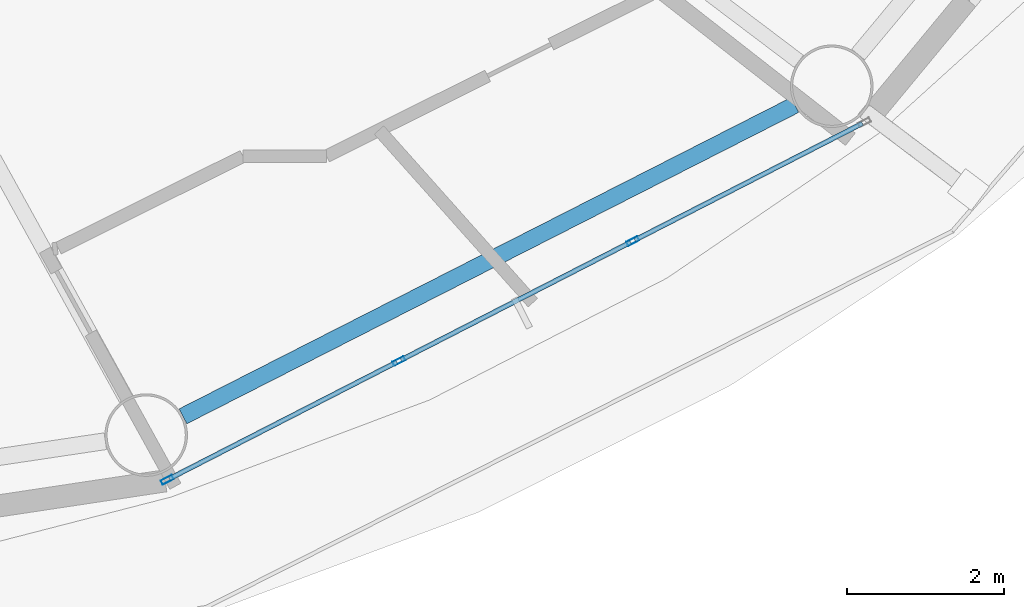
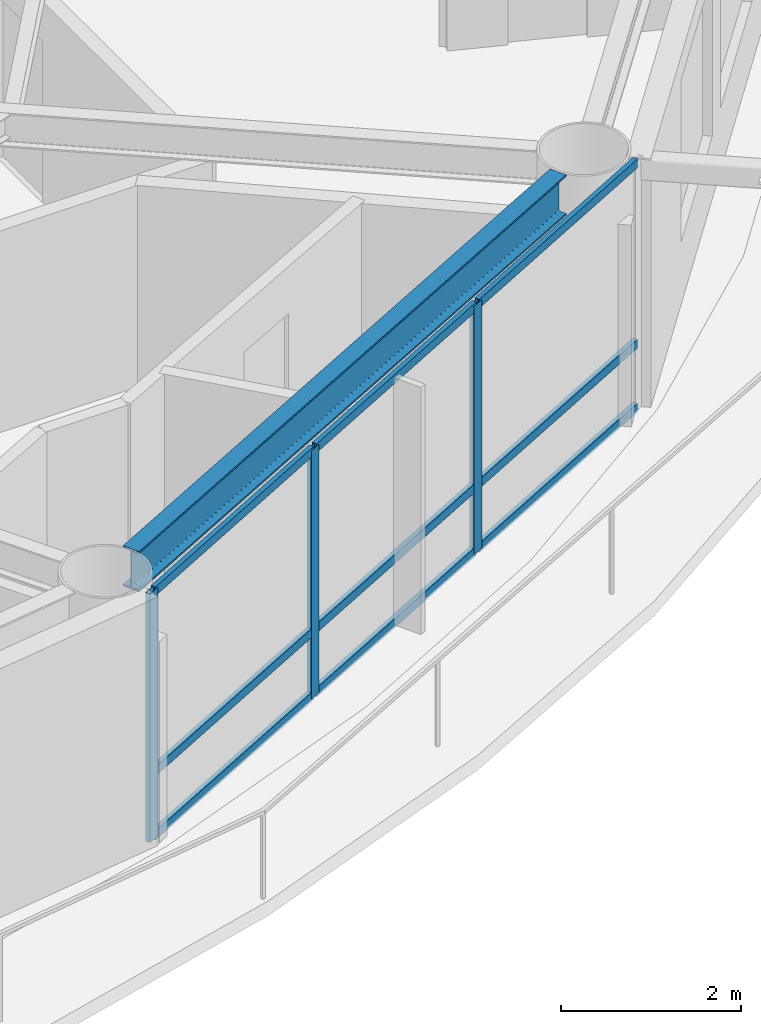
# One storey, part 5 of 29: 12 members, 1 beam, 1 element without a shape of its own.
"""IFC4 building model written with IfcOpenShell, lengths in metres."""

import ifcopenshell
import ifcopenshell.guid

model = None  # the IFC model being written
_history = None  # IfcOwnerHistory: only IFC2X3 demands one
_inside = {}  # id of a spatial element -> (the spatial element, [elements in it])
_under = {}  # id of a project, library or spatial element -> (it, [spatial elements below it])
_declared = {}  # id of a project -> (the project, [libraries it declares])
_typed = {}  # id of a type object -> (the type object, [elements of that type])
_made_of = {}  # id of a material, layer set ... -> (it, [elements and type objects made of it])


def new_model(schema):
    """Start an empty IFC model of exactly this schema.

    Asked for "IFC4X3", IfcOpenShell would pick the latest addendum, in which some entities
    have other attributes; the version numbers below select the first issue.
    IFC2X3 requires an IfcOwnerHistory on every rooted entity: one is made here for all.
    """
    global model, _history
    if schema == "IFC4X3":
        model = ifcopenshell.file(schema_version=(4, 3, 0, 0))
    else:
        model = ifcopenshell.file(schema=schema)
    _inside.clear()
    _under.clear()
    _declared.clear()
    _typed.clear()
    _made_of.clear()
    _history = None
    if model.schema == "IFC2X3":
        org = make("IfcOrganization", Name="unknown")
        user = make(
            "IfcPersonAndOrganization",
            ThePerson=make("IfcPerson", FamilyName="unknown"),
            TheOrganization=org,
        )
        app = make(
            "IfcApplication",
            ApplicationDeveloper=org,
            Version="unknown",
            ApplicationFullName="unknown",
            ApplicationIdentifier="unknown",
        )
        _history = make(
            "IfcOwnerHistory",
            OwningUser=user,
            OwningApplication=app,
            ChangeAction="ADDED",
            CreationDate=0,
        )
    return model


def make(cls, **values):
    """One entity of the class cls with the attributes given. An attribute that is None is left unset."""
    return model.create_entity(
        cls, **{name: value for name, value in values.items() if value is not None}
    )


def rooted(cls, **values):
    """An entity with a GlobalId (a new one), such as an element, a storey or a relation."""
    return make(cls, GlobalId=ifcopenshell.guid.new(), OwnerHistory=_history, **values)


def si_unit(unit_type, name, prefix=None):
    """IfcSIUnit, for example si_unit("LENGTHUNIT", "METRE", prefix="MILLI")."""
    return make("IfcSIUnit", UnitType=unit_type, Prefix=prefix, Name=name)


def assignment(units):
    """IfcUnitAssignment: the units of a project."""
    return None if units is None else make("IfcUnitAssignment", Units=units)


def point(xyz):
    """IfcCartesianPoint."""
    return None if xyz is None else make("IfcCartesianPoint", Coordinates=xyz)


def direction(xyz):
    """IfcDirection."""
    return None if xyz is None else make("IfcDirection", DirectionRatios=xyz)


def frame(location, z_axis=None, x_axis=None):
    """IfcAxis2Placement3D, a coordinate frame: its origin and axes. An axis left out is left unset."""
    return make(
        "IfcAxis2Placement3D",
        Location=point(location),
        Axis=direction(z_axis),
        RefDirection=direction(x_axis),
    )


def frame_2d(location, x_axis=None):
    """IfcAxis2Placement2D, a coordinate frame in the plane: its origin and x axis."""
    return make(
        "IfcAxis2Placement2D", Location=point(location), RefDirection=direction(x_axis)
    )


def origin():
    """The frame at (0, 0, 0) with its axes left unset."""
    return frame((0.0, 0.0, 0.0))


def origin_2d():
    """The frame at (0, 0) in the plane with its x axis left unset."""
    return frame_2d((0.0, 0.0))


def place(relative_to, where):
    """IfcLocalPlacement: puts the frame where relative to a parent placement (None: the world)."""
    return make(
        "IfcLocalPlacement", PlacementRelTo=relative_to, RelativePlacement=where
    )


def context(
    kind, dimensions, precision=None, world=None, true_north=None, identifier=None
):
    """IfcGeometricRepresentationContext, for example the 3D "Model" context."""
    return make(
        "IfcGeometricRepresentationContext",
        ContextIdentifier=identifier,
        ContextType=kind,
        CoordinateSpaceDimension=dimensions,
        Precision=precision,
        WorldCoordinateSystem=world,
        TrueNorth=true_north,
    )


def subcontext(parent, identifier, kind, view, scale=None):
    """IfcGeometricRepresentationSubContext, for example "Body" below "Model"."""
    return make(
        "IfcGeometricRepresentationSubContext",
        ContextIdentifier=identifier,
        ContextType=kind,
        ParentContext=parent,
        TargetScale=scale,
        TargetView=view,
    )


def project(units=None, contexts=None):
    """IfcProject with its units and contexts."""
    return rooted(
        "IfcProject",
        Name="project",
        RepresentationContexts=contexts,
        UnitsInContext=assignment(units),
    )


def spatial(cls, under=None, at=None, **own):
    """A site, building, storey or space (cls), placed at a placement, below another one or the project."""
    s = rooted(cls, ObjectPlacement=at, **own)
    if under is not None:
        _under.setdefault(under.id(), (under, []))[1].append(s)
    return s


def profile(cls, at=None, kind="AREA", **sizes):
    """A parametric profile (cls). Its sizes go by their IFC names, for example OverallWidth=200.0."""
    return make(cls, ProfileType=kind, Position=at, **sizes)


def hollow_rectangle(**sizes):
    """IfcRectangleHollowProfileDef."""
    return profile("IfcRectangleHollowProfileDef", **sizes)


def i_section(**sizes):
    """IfcIShapeProfileDef."""
    return profile("IfcIShapeProfileDef", **sizes)


def extrude(swept, where, along, depth):
    """IfcExtrudedAreaSolid: the profile swept, set in the frame where, extruded along a direction by depth."""
    return make(
        "IfcExtrudedAreaSolid",
        SweptArea=swept,
        Position=where,
        ExtrudedDirection=direction(along),
        Depth=depth,
    )


def shape(context_of_items, identifier, shape_type, items):
    """IfcShapeRepresentation: the items that make up one representation, for example the "Body"."""
    return make(
        "IfcShapeRepresentation",
        ContextOfItems=context_of_items,
        RepresentationIdentifier=identifier,
        RepresentationType=shape_type,
        Items=items,
    )


def material(Name=None, Category=None):
    """IfcMaterial."""
    return make("IfcMaterial", Name=Name, Category=Category)


def layer(
    of_material, thickness, ventilated=None, Name=None, Category=None, Priority=None
):
    """IfcMaterialLayer: one layer of a wall or slab, of a material (None: an air gap)."""
    return make(
        "IfcMaterialLayer",
        Material=of_material,
        LayerThickness=thickness,
        IsVentilated=ventilated,
        Name=Name,
        Category=Category,
        Priority=Priority,
    )


def layer_set(layers, Name=None):
    """IfcMaterialLayerSet."""
    return make("IfcMaterialLayerSet", MaterialLayers=layers, LayerSetName=Name)


def material_profile(
    of_material, cross_section, Name=None, Category=None, Priority=None
):
    """IfcMaterialProfile: a cross section and its material."""
    return make(
        "IfcMaterialProfile",
        Name=Name,
        Material=of_material,
        Profile=cross_section,
        Priority=Priority,
        Category=Category,
    )


def profile_set(profiles, Name=None, composite=None):
    """IfcMaterialProfileSet."""
    return make(
        "IfcMaterialProfileSet",
        Name=Name,
        MaterialProfiles=profiles,
        CompositeProfile=composite,
    )


def made_of(thing, what):
    """Note that an element or type object is made of a material, layer set ...; save() writes the relation."""
    if what is not None:
        _made_of.setdefault(what.id(), (what, []))[1].append(thing)
    return thing


def type_object(cls, material=None, **own):
    """A type object (cls), such as IfcWallType, which elements share."""
    return made_of(rooted(cls, **own), material)


def element(
    cls,
    number,
    at=None,
    inside=None,
    cuts=None,
    type_object=None,
    material=None,
    context=None,
    identifier="Body",
    shape_type=None,
    held_by="IfcProductDefinitionShape",
    body=None,
    shapes=None,
    **own,
):
    """One element of the class cls, such as IfcWall. Its Tag is "e" and its number.

    at: its placement. inside: the storey or other place that contains it. cuts: it is an
    opening in that element (IfcRelVoidsElement). A single representation is given by context,
    identifier, shape_type and body (its items); several are given by shapes. held_by: the class
    of the entity that holds the representations. save() writes the other relations.
    """
    e = rooted(cls, Tag="e%d" % number, ObjectPlacement=at, **own)
    if body is not None:
        shapes = [shape(context, identifier, shape_type, body)]
    if shapes is not None:
        e.Representation = make(held_by, Representations=shapes)
    if inside is not None:
        _inside.setdefault(inside.id(), (inside, []))[1].append(e)
    if cuts is not None:
        rooted(
            "IfcRelVoidsElement", RelatingBuildingElement=cuts, RelatedOpeningElement=e
        )
    if type_object is not None:
        _typed.setdefault(type_object.id(), (type_object, []))[1].append(e)
    return made_of(e, material)


def aggregate(whole, parts):
    """IfcRelAggregates: a whole, such as a stair, and the parts it consists of."""
    return rooted("IfcRelAggregates", RelatingObject=whole, RelatedObjects=parts)


def save(model, path):
    """Write the relations noted so far, then the file.

    IfcRelAggregates (storeys below a building ...), IfcRelContainedInSpatialStructure (elements
    in a storey), IfcRelDefinesByType, IfcRelAssociatesMaterial and IfcRelDeclares: one each for
    every whole, place, type object, material and project.
    """
    for whole, parts in _under.values():
        aggregate(whole, parts)
    for where, things in _inside.values():
        rooted(
            "IfcRelContainedInSpatialStructure",
            RelatedElements=things,
            RelatingStructure=where,
        )
    for kind, things in _typed.values():
        rooted("IfcRelDefinesByType", RelatedObjects=things, RelatingType=kind)
    for what, things in _made_of.values():
        rooted("IfcRelAssociatesMaterial", RelatedObjects=things, RelatingMaterial=what)
    for by, libraries in _declared.values():
        rooted("IfcRelDeclares", RelatingContext=by, RelatedDefinitions=libraries)
    model.write(path)


model = new_model("IFC4")

# Units and contexts
model_context = context("Model", 3, precision=1e-05, world=origin(), true_north=direction((0.0, 1.0)))
body_context = subcontext(model_context, "Body", "Model", "MODEL_VIEW")
ifc_project = project(units=[si_unit("LENGTHUNIT", "METRE"), si_unit("AREAUNIT", "SQUARE_METRE"), si_unit("VOLUMEUNIT", "CUBIC_METRE"), si_unit("PLANEANGLEUNIT", "RADIAN"), si_unit("MASSUNIT", "GRAM", prefix="KILO")], contexts=[model_context])

# Site, building, storey
site_placement = place(None, origin())
site = spatial("IfcSite", under=ifc_project, at=site_placement, CompositionType="ELEMENT")
building_placement = place(site_placement, origin())
building = spatial("IfcBuilding", under=site, at=building_placement, Name="Sarneth Arch Tower", CompositionType="ELEMENT")
storey_placement = place(building_placement, frame((0.0, 0.0, 165.0)))
storey = spatial("IfcBuildingStorey", under=building, at=storey_placement, Name="L41", CompositionType="ELEMENT", Elevation=165.0)

# Beam
ifc_material_1 = material(Name="Steel S355", Category="steel")
ifc_material_profile_1 = material_profile(ifc_material_1, i_section(OverallWidth=0.214111328125, OverallDepth=0.549072265625, WebThickness=0.0146484375, FlangeThickness=0.023681640625, FilletRadius=0.01806640625, at=origin_2d()), Name="W530x138")
ifc_profile_set_1 = profile_set([ifc_material_profile_1], Name="Steel S355")
beam_type = type_object("IfcBeamType", Name="BM-RAD-530A", PredefinedType="BEAM", material=ifc_profile_set_1)
beam_placement = place(storey_placement, frame((58.8896484375, 23.3447265625, 3.10546875), z_axis=(0.891254220899, 0.453504039374, 0.0), x_axis=(-0.453504039374, 0.891254220899, 0.0)))
element("IfcBeam", 1, at=beam_placement, inside=storey, type_object=beam_type, Name="L41 Perimeter spandrel beam 14", PredefinedType="BEAM", context=body_context, shape_type="SweptSolid", body=[
    extrude(i_section(OverallWidth=0.214111328125, OverallDepth=0.549072265625, WebThickness=0.0146484375, FlangeThickness=0.023681640625, FilletRadius=0.01806640625, at=origin_2d()), origin(), (0.0, 0.0, 1.0), 8.724853515625),
])

# Curtain wall, members
ifc_material_2 = material(Name="Anodised aluminium Type AA25 and solar-control low-e laminated IGU", Category="aluminium")
ifc_layer = layer(ifc_material_2, 0.169921875)
ifc_layer_set = layer_set([ifc_layer], Name="Anodised aluminium Type AA25 and solar-control low-e laminated IGU")
curtain_wall_type = type_object("IfcCurtainWallType", Name="CW-RES-MID", PredefinedType="NOTDEFINED", material=ifc_layer_set)
curtain_wall_placement = place(storey_placement, origin())
curtain_wall = element("IfcCurtainWall", 2, at=curtain_wall_placement, inside=storey, type_object=curtain_wall_type, Name="L41 Unitised curtain wall facet 14", PredefinedType="NOTDEFINED")
ifc_material_3 = material(Name="Anodised Aluminium 6063-T6", Category="aluminium")
ifc_material_profile_2 = material_profile(ifc_material_3, hollow_rectangle(XDim=0.06005859375, YDim=0.159912109375, WallThickness=0.00390625, at=origin_2d()), Name="AL-MULL-160x60x4")
ifc_profile_set_2 = profile_set([ifc_material_profile_2], Name="Anodised Aluminium 6063-T6")
member_type_1 = type_object("IfcMemberType", Name="CW-MULLION", PredefinedType="MULLION", material=ifc_profile_set_2)
member_1_placement = place(storey_placement, frame((58.689453125, 22.538330078125, 0.0), z_axis=(0.0, 0.0, 1.0), x_axis=(-0.456208470329, 0.88987293003, 0.0)))
member_1 = element("IfcMember", 3, at=member_1_placement, type_object=member_type_1, Name="CW-SYS-5 mullion 1", PredefinedType="MULLION", context=body_context, shape_type="SweptSolid", body=[
    extrude(hollow_rectangle(XDim=0.06005859375, YDim=0.159912109375, WallThickness=0.00390625, at=origin_2d()), origin(), (0.0, 0.0, 1.0), 3.3798828125),
])
member_2_placement = place(storey_placement, frame((61.634033203125, 24.0478515625, 0.0), z_axis=(0.0, 0.0, 1.0), x_axis=(-0.456208470329, 0.88987293003, 0.0)))
member_2 = element("IfcMember", 4, at=member_2_placement, type_object=member_type_1, Name="CW-SYS-5 mullion 2", PredefinedType="MULLION", context=body_context, shape_type="SweptSolid", body=[
    extrude(hollow_rectangle(XDim=0.06005859375, YDim=0.159912109375, WallThickness=0.00390625, at=origin_2d()), origin(), (0.0, 0.0, 1.0), 3.3798828125),
])
member_3_placement = place(storey_placement, frame((64.60498046875, 25.571044921875, 0.0), z_axis=(0.0, 0.0, 1.0), x_axis=(-0.456208470329, 0.88987293003, 0.0)))
member_3 = element("IfcMember", 5, at=member_3_placement, type_object=member_type_1, Name="CW-SYS-5 mullion 3", PredefinedType="MULLION", context=body_context, shape_type="SweptSolid", body=[
    extrude(hollow_rectangle(XDim=0.06005859375, YDim=0.159912109375, WallThickness=0.00390625, at=origin_2d()), origin(), (0.0, 0.0, 1.0), 3.3798828125),
])
ifc_material_4 = material(Name="Anodised Aluminium 6063-T6", Category="aluminium")
ifc_material_profile_3 = material_profile(ifc_material_4, hollow_rectangle(XDim=0.06005859375, YDim=0.1201171875, WallThickness=0.00390625, at=origin_2d()), Name="AL-TRAN-120x60x4")
ifc_profile_set_3 = profile_set([ifc_material_profile_3], Name="Anodised Aluminium 6063-T6")
member_type_2 = type_object("IfcMemberType", Name="CW-TRANSOM", PredefinedType="USERDEFINED", material=ifc_profile_set_3)
member_4_placement = place(storey_placement, frame((58.71630859375, 22.552001953125, 0.030029296875), z_axis=(0.889857362344, 0.456238835131, 0.0), x_axis=(-0.456238835131, 0.889857362344, 0.0)))
member_4 = element("IfcMember", 6, at=member_4_placement, type_object=member_type_2, Name="CW-SYS-5 transom 1.1", ObjectType="TRANSOM", PredefinedType="USERDEFINED", context=body_context, shape_type="SweptSolid", body=[
    extrude(hollow_rectangle(XDim=0.06005859375, YDim=0.1201171875, WallThickness=0.00390625, at=origin_2d()), origin(), (0.0, 0.0, 1.0), 3.248779296875),
])
member_5_placement = place(storey_placement, frame((58.71630859375, 22.552001953125, 0.89990234375), z_axis=(0.889857362344, 0.456238835131, 0.0), x_axis=(-0.456238835131, 0.889857362344, 0.0)))
member_5 = element("IfcMember", 7, at=member_5_placement, type_object=member_type_2, Name="CW-SYS-5 transom 1.2", ObjectType="TRANSOM", PredefinedType="USERDEFINED", context=body_context, shape_type="SweptSolid", body=[
    extrude(hollow_rectangle(XDim=0.06005859375, YDim=0.1201171875, WallThickness=0.00390625, at=origin_2d()), origin(), (0.0, 0.0, 1.0), 3.248779296875),
])
member_6_placement = place(storey_placement, frame((58.71630859375, 22.552001953125, 3.35009765625), z_axis=(0.889857362344, 0.456238835131, 0.0), x_axis=(-0.456238835131, 0.889857362344, 0.0)))
member_6 = element("IfcMember", 8, at=member_6_placement, type_object=member_type_2, Name="CW-SYS-5 transom 1.3", ObjectType="TRANSOM", PredefinedType="USERDEFINED", context=body_context, shape_type="SweptSolid", body=[
    extrude(hollow_rectangle(XDim=0.06005859375, YDim=0.1201171875, WallThickness=0.00390625, at=origin_2d()), origin(), (0.0, 0.0, 1.0), 3.248779296875),
])
member_7_placement = place(storey_placement, frame((61.66064453125, 24.0615234375, 0.030029296875), z_axis=(0.889869396751, 0.45621536222, 0.0), x_axis=(-0.45621536222, 0.889869396751, 0.0)))
member_7 = element("IfcMember", 9, at=member_7_placement, type_object=member_type_2, Name="CW-SYS-5 transom 2.1", ObjectType="TRANSOM", PredefinedType="USERDEFINED", context=body_context, shape_type="SweptSolid", body=[
    extrude(hollow_rectangle(XDim=0.06005859375, YDim=0.1201171875, WallThickness=0.00390625, at=origin_2d()), origin(), (0.0, 0.0, 1.0), 3.27880859375),
])
member_8_placement = place(storey_placement, frame((61.66064453125, 24.0615234375, 0.89990234375), z_axis=(0.889869396751, 0.45621536222, 0.0), x_axis=(-0.45621536222, 0.889869396751, 0.0)))
member_8 = element("IfcMember", 10, at=member_8_placement, type_object=member_type_2, Name="CW-SYS-5 transom 2.2", ObjectType="TRANSOM", PredefinedType="USERDEFINED", context=body_context, shape_type="SweptSolid", body=[
    extrude(hollow_rectangle(XDim=0.06005859375, YDim=0.1201171875, WallThickness=0.00390625, at=origin_2d()), origin(), (0.0, 0.0, 1.0), 3.27880859375),
])
member_9_placement = place(storey_placement, frame((61.66064453125, 24.0615234375, 3.35009765625), z_axis=(0.889869396751, 0.45621536222, 0.0), x_axis=(-0.45621536222, 0.889869396751, 0.0)))
member_9 = element("IfcMember", 11, at=member_9_placement, type_object=member_type_2, Name="CW-SYS-5 transom 2.3", ObjectType="TRANSOM", PredefinedType="USERDEFINED", context=body_context, shape_type="SweptSolid", body=[
    extrude(hollow_rectangle(XDim=0.06005859375, YDim=0.1201171875, WallThickness=0.00390625, at=origin_2d()), origin(), (0.0, 0.0, 1.0), 3.27880859375),
])
member_10_placement = place(storey_placement, frame((64.6318359375, 25.584716796875, 0.030029296875), z_axis=(0.889857362344, 0.456238835131, 0.0), x_axis=(-0.456238835131, 0.889857362344, 0.0)))
member_10 = element("IfcMember", 12, at=member_10_placement, type_object=member_type_2, Name="CW-SYS-5 transom 3.1", ObjectType="TRANSOM", PredefinedType="USERDEFINED", context=body_context, shape_type="SweptSolid", body=[
    extrude(hollow_rectangle(XDim=0.06005859375, YDim=0.1201171875, WallThickness=0.00390625, at=origin_2d()), origin(), (0.0, 0.0, 1.0), 3.248779296875),
])
member_11_placement = place(storey_placement, frame((64.6318359375, 25.584716796875, 0.89990234375), z_axis=(0.889857362344, 0.456238835131, 0.0), x_axis=(-0.456238835131, 0.889857362344, 0.0)))
member_11 = element("IfcMember", 13, at=member_11_placement, type_object=member_type_2, Name="CW-SYS-5 transom 3.2", ObjectType="TRANSOM", PredefinedType="USERDEFINED", context=body_context, shape_type="SweptSolid", body=[
    extrude(hollow_rectangle(XDim=0.06005859375, YDim=0.1201171875, WallThickness=0.00390625, at=origin_2d()), origin(), (0.0, 0.0, 1.0), 3.248779296875),
])
member_12_placement = place(storey_placement, frame((64.6318359375, 25.584716796875, 3.35009765625), z_axis=(0.889857362344, 0.456238835131, 0.0), x_axis=(-0.456238835131, 0.889857362344, 0.0)))
member_12 = element("IfcMember", 14, at=member_12_placement, type_object=member_type_2, Name="CW-SYS-5 transom 3.3", ObjectType="TRANSOM", PredefinedType="USERDEFINED", context=body_context, shape_type="SweptSolid", body=[
    extrude(hollow_rectangle(XDim=0.06005859375, YDim=0.1201171875, WallThickness=0.00390625, at=origin_2d()), origin(), (0.0, 0.0, 1.0), 3.248779296875),
])
aggregate(curtain_wall, [member_1, member_2, member_3, member_4, member_5, member_6, member_7, member_8, member_9, member_10, member_11, member_12])

save(model, "model.ifc")
